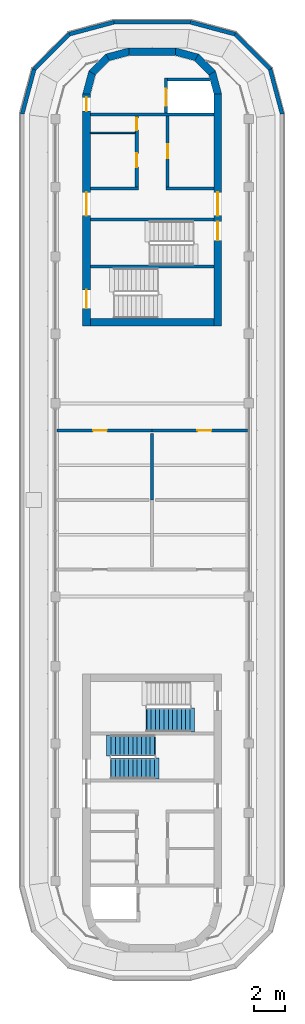
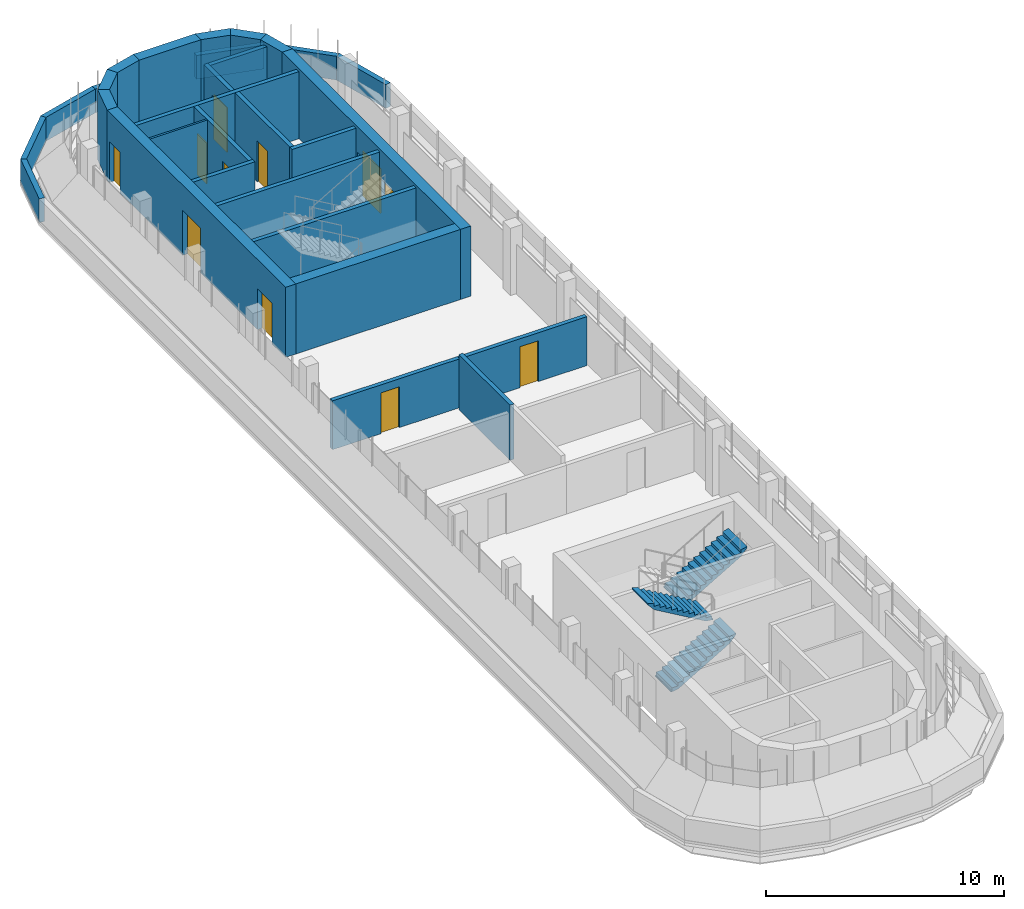
# One storey, part 9 of 12: 30 walls, 11 doors, 3 stair flights, 11 openings, 2 elements without a shape of their own.
"""IFC4 building model written with IfcOpenShell, lengths in metres."""

from ifc_helpers import new_model, si_unit, direction, frame, frame_2d, origin, place, context, subcontext, project, spatial, polyline, rectangle, outline, extrude, material, layer, layer_set, type_object, element, fill, aggregate, save


model = new_model("IFC4")

# Units and contexts
model_context = context("Model", 3, precision=1e-05, world=origin(), true_north=direction((0.0, 1.0)))
body_context = subcontext(model_context, "Body", "Model", "MODEL_VIEW")
ifc_project = project(units=[si_unit("LENGTHUNIT", "METRE"), si_unit("AREAUNIT", "SQUARE_METRE"), si_unit("VOLUMEUNIT", "CUBIC_METRE"), si_unit("PLANEANGLEUNIT", "RADIAN"), si_unit("MASSUNIT", "GRAM", prefix="KILO")], contexts=[model_context])

# Site, building, storey
site_placement = place(None, origin())
site = spatial("IfcSite", under=ifc_project, at=site_placement, CompositionType="ELEMENT")
building_placement = place(site_placement, origin())
building = spatial("IfcBuilding", under=site, at=building_placement, Name="Zarbagh Exchange Tower", CompositionType="ELEMENT")
storey_placement = place(building_placement, frame((0.0, 0.0, 309.60009765625)))
storey = spatial("IfcBuildingStorey", under=building, at=storey_placement, Name="L76", CompositionType="ELEMENT", Elevation=309.60009765625)

# Wall
ifc_material_1 = material(Name="Dense blockwork", Category="masonry")
ifc_layer_1 = layer(ifc_material_1, 0.10009765625)
ifc_layer_set_1 = layer_set([ifc_layer_1], Name="Core partition 100 mm blockwork")
wall_type_1 = type_object("IfcWallType", Name="Core partition 100 mm blockwork", PredefinedType="PARTITIONING", material=ifc_layer_set_1)
wall_1_placement = place(storey_placement, frame((-4.0, 23.75, 0.0), z_axis=(0.0, 0.0, 1.0), x_axis=(1.0, 0.0, 0.0)))
element("IfcWall", 1, at=wall_1_placement, inside=storey, type_object=wall_type_1, Name="North core partition wall CUT-W-460", PredefinedType="PARTITIONING", context=body_context, shape_type="SweptSolid", body=[
    extrude(rectangle(XDim=2.89990234375, YDim=0.10009765625, at=frame_2d((1.449951171875, 0.0))), origin(), (0.0, 0.0, 1.0), 3.449951171875),
])

# Wall, opening, door
ifc_material_2 = material(Name="Concrete block partition", Category="concrete")
ifc_layer_2 = layer(ifc_material_2, 0.199951171875)
ifc_layer_set_2 = layer_set([ifc_layer_2], Name="Fire-rated block partition 200 EI 60")
wall_type_2 = type_object("IfcWallType", Name="Fire-rated block partition 200 EI 60", PredefinedType="PARTITIONING", material=ifc_layer_set_2)
wall_2_placement = place(storey_placement, frame((0.0, 4.5, 0.0), z_axis=(0.0, 0.0, 1.0), x_axis=(-1.0, 0.0, 0.0)))
wall_2 = element("IfcWall", 2, at=wall_2_placement, inside=storey, type_object=wall_type_2, Name="WL-L76-W001", PredefinedType="PARTITIONING", context=body_context, shape_type="SweptSolid", body=[
    extrude(rectangle(XDim=6.169921875, YDim=0.199951171875, at=frame_2d((3.0849609375, 0.0))), origin(), (0.0, 0.0, 1.0), 2.510498046875),
])
opening_1_placement = place(wall_2_placement, frame((2.925048828125, 0.0, 0.0)))
opening_1 = element("IfcOpeningElement", 3, at=opening_1_placement, cuts=wall_2, Name="Opening D01", PredefinedType="OPENING", context=body_context, shape_type="SweptSolid", body=[
    extrude(rectangle(XDim=0.89990234375, YDim=2.10009765625, at=frame_2d((0.449951171875, 1.050048828125))), frame((0.0, 0.10986328125, 0.0), z_axis=(0.0, -1.0, 0.0), x_axis=(1.0, 0.0, 0.0)), (0.0, 0.0, 1.0), 0.219970703125),
])
ifc_material_3 = material(Name="Steel door set", Category="steel")
door_type_1 = type_object("IfcDoorType", Name="Door single 900x2100 EI 60", OperationType="SINGLE_SWING_LEFT", PredefinedType="DOOR", material=ifc_material_3)
door_1_placement = place(opening_1_placement, origin())
door_1 = element("IfcDoor", 4, at=door_1_placement, inside=storey, type_object=door_type_1, Name="D01", OperationType="SINGLE_SWING_LEFT", OverallHeight=2.10009765625, OverallWidth=0.89990234375, PredefinedType="DOOR", context=body_context, shape_type="SweptSolid", body=[
    extrude(rectangle(XDim=0.89990234375, YDim=2.10009765625, at=frame_2d((0.449951171875, 1.050048828125))), frame((0.0, 0.02490234375, 0.0), z_axis=(0.0, -1.0, 0.0), x_axis=(1.0, 0.0, 0.0)), (0.0, 0.0, 1.0), 0.050048828125),
])
fill(opening_1, door_1)

wall_3_placement = place(storey_placement, frame((6.169921875, 4.5, 0.0), z_axis=(0.0, 0.0, 1.0), x_axis=(-1.0, 0.0, 0.0)))
wall_3 = element("IfcWall", 5, at=wall_3_placement, inside=storey, type_object=wall_type_2, Name="WL-L76-W002", PredefinedType="PARTITIONING", context=body_context, shape_type="SweptSolid", body=[
    extrude(rectangle(XDim=6.169921875, YDim=0.199951171875, at=frame_2d((3.0849609375, 0.0))), origin(), (0.0, 0.0, 1.0), 2.510498046875),
])
opening_2_placement = place(wall_3_placement, frame((2.344970703125, 0.0, 0.0)))
opening_2 = element("IfcOpeningElement", 6, at=opening_2_placement, cuts=wall_3, Name="Opening D02", PredefinedType="OPENING", context=body_context, shape_type="SweptSolid", body=[
    extrude(rectangle(XDim=0.89990234375, YDim=2.10009765625, at=frame_2d((0.449951171875, 1.050048828125))), frame((0.0, 0.10986328125, 0.0), z_axis=(0.0, -1.0, 0.0), x_axis=(1.0, 0.0, 0.0)), (0.0, 0.0, 1.0), 0.219970703125),
])
door_2_placement = place(opening_2_placement, origin())
door_2 = element("IfcDoor", 7, at=door_2_placement, inside=storey, type_object=door_type_1, Name="D02", OperationType="SINGLE_SWING_LEFT", OverallHeight=2.10009765625, OverallWidth=0.89990234375, PredefinedType="DOOR", context=body_context, shape_type="SweptSolid", body=[
    extrude(rectangle(XDim=0.89990234375, YDim=2.10009765625, at=frame_2d((0.449951171875, 1.050048828125))), frame((0.0, 0.02490234375, 0.0), z_axis=(0.0, -1.0, 0.0), x_axis=(1.0, 0.0, 0.0)), (0.0, 0.0, 1.0), 0.050048828125),
])
fill(opening_2, door_2)

# Walls
wall_4_placement = place(storey_placement, frame((0.0, 4.300048828125, 0.0), z_axis=(0.0, 0.0, 1.0), x_axis=(0.0, -1.0, 0.0)))
element("IfcWall", 8, at=wall_4_placement, inside=storey, type_object=wall_type_2, Name="WL-L76-W005", PredefinedType="PARTITIONING", context=body_context, shape_type="SweptSolid", body=[
    extrude(rectangle(XDim=4.300048828125, YDim=0.199951171875, at=frame_2d((2.14990234375, 0.0))), origin(), (0.0, 0.0, 1.0), 2.827880859375),
])
ifc_material_4 = material(Name="Concrete C40/50", Category="concrete")
ifc_layer_3 = layer(ifc_material_4, 0.25)
ifc_layer_set_3 = layer_set([ifc_layer_3], Name="Parapet wall, concrete C40/50")
wall_type_3 = type_object("IfcWallType", Name="Parapet wall, concrete C40/50", PredefinedType="PARAPET", material=ifc_layer_set_3)
wall_5_placement = place(storey_placement, origin())
element("IfcWall", 9, at=wall_5_placement, inside=storey, type_object=wall_type_3, Name="roof parapet", PredefinedType="PARAPET", context=body_context, shape_type="SweptSolid", body=[
    extrude(outline(polyline([(-8.530029296875, 24.984375), (-7.742919921875, 27.92138671875), (-7.518798828125, 27.7919921875), (-8.280029296875, 24.951416015625), (-8.530029296875, 24.984375)])), origin(), (0.0, 0.0, 1.0), 1.219970703125),
])
wall_6_placement = place(storey_placement, origin())
element("IfcWall", 10, at=wall_6_placement, inside=storey, type_object=wall_type_3, Name="roof parapet", PredefinedType="PARAPET", context=body_context, shape_type="SweptSolid", body=[
    extrude(outline(polyline([(-7.742919921875, 27.92138671875), (-5.42138671875, 30.242919921875), (-5.2919921875, 30.018798828125), (-7.518798828125, 27.7919921875), (-7.742919921875, 27.92138671875)])), origin(), (0.0, 0.0, 1.0), 1.219970703125),
])
wall_7_placement = place(storey_placement, origin())
element("IfcWall", 11, at=wall_7_placement, inside=storey, type_object=wall_type_3, Name="roof parapet", PredefinedType="PARAPET", context=body_context, shape_type="SweptSolid", body=[
    extrude(outline(polyline([(-5.42138671875, 30.242919921875), (-2.484375, 31.030029296875), (-2.451416015625, 30.780029296875), (-5.2919921875, 30.018798828125), (-5.42138671875, 30.242919921875)])), origin(), (0.0, 0.0, 1.0), 1.219970703125),
])
wall_8_placement = place(storey_placement, origin())
element("IfcWall", 12, at=wall_8_placement, inside=storey, type_object=wall_type_3, Name="roof parapet", PredefinedType="PARAPET", context=body_context, shape_type="SweptSolid", body=[
    extrude(outline(polyline([(-2.484375, 31.030029296875), (2.484375, 31.030029296875), (2.451416015625, 30.780029296875), (-2.451416015625, 30.780029296875), (-2.484375, 31.030029296875)])), origin(), (0.0, 0.0, 1.0), 1.219970703125),
])
wall_9_placement = place(storey_placement, origin())
element("IfcWall", 13, at=wall_9_placement, inside=storey, type_object=wall_type_3, Name="roof parapet", PredefinedType="PARAPET", context=body_context, shape_type="SweptSolid", body=[
    extrude(outline(polyline([(2.484375, 31.030029296875), (5.42138671875, 30.242919921875), (5.2919921875, 30.018798828125), (2.451416015625, 30.780029296875), (2.484375, 31.030029296875)])), origin(), (0.0, 0.0, 1.0), 1.219970703125),
])
wall_10_placement = place(storey_placement, origin())
element("IfcWall", 14, at=wall_10_placement, inside=storey, type_object=wall_type_3, Name="roof parapet", PredefinedType="PARAPET", context=body_context, shape_type="SweptSolid", body=[
    extrude(outline(polyline([(5.42138671875, 30.242919921875), (7.742919921875, 27.92138671875), (7.518798828125, 27.7919921875), (5.2919921875, 30.018798828125), (5.42138671875, 30.242919921875)])), origin(), (0.0, 0.0, 1.0), 1.219970703125),
])
wall_11_placement = place(storey_placement, origin())
element("IfcWall", 15, at=wall_11_placement, inside=storey, type_object=wall_type_3, Name="roof parapet", PredefinedType="PARAPET", context=body_context, shape_type="SweptSolid", body=[
    extrude(outline(polyline([(7.742919921875, 27.92138671875), (8.530029296875, 24.984375), (8.280029296875, 24.951416015625), (7.518798828125, 27.7919921875), (7.742919921875, 27.92138671875)])), origin(), (0.0, 0.0, 1.0), 1.219970703125),
])
ifc_layer_4 = layer(ifc_material_4, 0.5)
ifc_layer_set_4 = layer_set([ifc_layer_4], Name="RC core corner wall 500 C40/50")
wall_type_4 = type_object("IfcWallType", Name="RC core corner wall 500 C40/50", PredefinedType="SHEAR", material=ifc_layer_set_4)
wall_12_placement = place(storey_placement, origin())
element("IfcWall", 16, at=wall_12_placement, inside=storey, type_object=wall_type_4, Name="CW10 core N corner W", PredefinedType="SHEAR", context=body_context, shape_type="SweptSolid", body=[
    extrude(outline(polyline([(-4.5, 26.25), (-4.09814453125, 27.75), (-3.6650390625, 27.5), (-4.0, 26.25), (-4.5, 26.25)])), origin(), (0.0, 0.0, 1.0), 3.599853515625),
])
wall_13_placement = place(storey_placement, origin())
element("IfcWall", 17, at=wall_13_placement, inside=storey, type_object=wall_type_4, Name="CW10 core N corner W", PredefinedType="SHEAR", context=body_context, shape_type="SweptSolid", body=[
    extrude(outline(polyline([(-4.09814453125, 27.75), (-3.0, 28.84814453125), (-2.75, 28.4150390625), (-3.6650390625, 27.5), (-4.09814453125, 27.75)])), origin(), (0.0, 0.0, 1.0), 3.599853515625),
])
wall_14_placement = place(storey_placement, origin())
element("IfcWall", 18, at=wall_14_placement, inside=storey, type_object=wall_type_4, Name="CW10 core N corner W", PredefinedType="SHEAR", context=body_context, shape_type="SweptSolid", body=[
    extrude(outline(polyline([(-3.0, 28.84814453125), (-1.5, 29.25), (-1.5, 28.75), (-2.75, 28.4150390625), (-3.0, 28.84814453125)])), origin(), (0.0, 0.0, 1.0), 3.599853515625),
])
wall_15_placement = place(storey_placement, origin())
element("IfcWall", 19, at=wall_15_placement, inside=storey, type_object=wall_type_4, Name="CW10 core N corner E", PredefinedType="SHEAR", context=body_context, shape_type="SweptSolid", body=[
    extrude(outline(polyline([(4.5, 26.25), (4.09814453125, 27.75), (3.6650390625, 27.5), (4.0, 26.25), (4.5, 26.25)])), origin(), (0.0, 0.0, 1.0), 3.599853515625),
])
wall_16_placement = place(storey_placement, origin())
element("IfcWall", 20, at=wall_16_placement, inside=storey, type_object=wall_type_4, Name="CW10 core N corner E", PredefinedType="SHEAR", context=body_context, shape_type="SweptSolid", body=[
    extrude(outline(polyline([(4.09814453125, 27.75), (3.0, 28.84814453125), (2.75, 28.4150390625), (3.6650390625, 27.5), (4.09814453125, 27.75)])), origin(), (0.0, 0.0, 1.0), 3.599853515625),
])
wall_17_placement = place(storey_placement, origin())
element("IfcWall", 21, at=wall_17_placement, inside=storey, type_object=wall_type_4, Name="CW10 core N corner E", PredefinedType="SHEAR", context=body_context, shape_type="SweptSolid", body=[
    extrude(outline(polyline([(3.0, 28.84814453125), (1.5, 29.25), (1.5, 28.75), (2.75, 28.4150390625), (3.0, 28.84814453125)])), origin(), (0.0, 0.0, 1.0), 3.599853515625),
])

# Wall, openings, doors
ifc_layer_5 = layer(ifc_material_4, 0.5)
ifc_layer_set_5 = layer_set([ifc_layer_5], Name="RC core wall 500 C40/50")
wall_type_5 = type_object("IfcWallType", Name="RC core wall 500 C40/50", PredefinedType="SHEAR", material=ifc_layer_set_5)
wall_18_placement = place(storey_placement, frame((-4.25, 11.25, 0.0), z_axis=(0.0, 0.0, 1.0), x_axis=(0.0, 1.0, 0.0)))
wall_18 = element("IfcWall", 22, at=wall_18_placement, inside=storey, type_object=wall_type_5, Name="CW9 core N W", PredefinedType="SHEAR", context=body_context, shape_type="SweptSolid", body=[
    extrude(rectangle(XDim=15.0, YDim=0.5, at=frame_2d((7.5, 0.0))), origin(), (0.0, 0.0, 1.0), 3.599853515625),
])
opening_3_placement = place(wall_18_placement, frame((7.14990234375, 0.0, 0.0)))
opening_3 = element("IfcOpeningElement", 23, at=opening_3_placement, cuts=wall_18, Name="Opening CD1-1500", PredefinedType="OPENING", context=body_context, shape_type="SweptSolid", body=[
    extrude(rectangle(XDim=1.5, YDim=2.300048828125, at=frame_2d((0.75, 1.14990234375))), frame((0.0, 0.260009765625, 0.0), z_axis=(0.0, -1.0, 0.0), x_axis=(1.0, 0.0, 0.0)), (0.0, 0.0, 1.0), 0.52001953125),
])
opening_4_placement = place(wall_18_placement, frame((13.89990234375, 0.0, 0.0)))
opening_4 = element("IfcOpeningElement", 24, at=opening_4_placement, cuts=wall_18, Name="Opening CD2-900", PredefinedType="OPENING", context=body_context, shape_type="SweptSolid", body=[
    extrude(rectangle(XDim=0.89990234375, YDim=2.10009765625, at=frame_2d((0.449951171875, 1.050048828125))), frame((0.0, 0.260009765625, 0.0), z_axis=(0.0, -1.0, 0.0), x_axis=(1.0, 0.0, 0.0)), (0.0, 0.0, 1.0), 0.52001953125),
])
opening_5_placement = place(wall_18_placement, frame((1.14990234375, 0.0, 0.0)))
opening_5 = element("IfcOpeningElement", 25, at=opening_5_placement, cuts=wall_18, Name="Opening SD1-1200", PredefinedType="OPENING", context=body_context, shape_type="SweptSolid", body=[
    extrude(rectangle(XDim=1.199951171875, YDim=2.10009765625, at=frame_2d((0.60009765625, 1.050048828125))), frame((0.0, 0.260009765625, 0.0), z_axis=(0.0, -1.0, 0.0), x_axis=(1.0, 0.0, 0.0)), (0.0, 0.0, 1.0), 0.52001953125),
])
ifc_material_5 = material(Name="Steel", Category="steel")
door_type_2 = type_object("IfcDoorType", Name="Exit stair door 1200 x 2100", OperationType="NOTDEFINED", PredefinedType="DOOR", material=ifc_material_5)
door_3_placement = place(opening_5_placement, origin())
door_3 = element("IfcDoor", 26, at=door_3_placement, inside=storey, type_object=door_type_2, Name="North core stair door ST2", OperationType="SINGLE_SWING_RIGHT", OverallHeight=2.10009765625, OverallWidth=1.199951171875, PredefinedType="DOOR", context=body_context, shape_type="SweptSolid", body=[
    extrude(rectangle(XDim=1.199951171875, YDim=2.10009765625, at=frame_2d((0.60009765625, 1.050048828125))), frame((0.0, 0.02490234375, 0.0), z_axis=(0.0, -1.0, 0.0), x_axis=(1.0, 0.0, 0.0)), (0.0, 0.0, 1.0), 0.050048828125),
])
fill(opening_5, door_3)
door_type_3 = type_object("IfcDoorType", Name="Firefighting lobby door 900 x 2100", OperationType="NOTDEFINED", PredefinedType="DOOR", material=ifc_material_5)
door_4_placement = place(opening_4_placement, origin())
door_4 = element("IfcDoor", 27, at=door_4_placement, inside=storey, type_object=door_type_3, Name="North core firefighting lobby door FF-W", OperationType="SINGLE_SWING_RIGHT", OverallHeight=2.10009765625, OverallWidth=0.89990234375, PredefinedType="DOOR", context=body_context, shape_type="SweptSolid", body=[
    extrude(rectangle(XDim=0.89990234375, YDim=2.10009765625, at=frame_2d((0.449951171875, 1.050048828125))), frame((0.0, 0.02490234375, 0.0), z_axis=(0.0, -1.0, 0.0), x_axis=(1.0, 0.0, 0.0)), (0.0, 0.0, 1.0), 0.050048828125),
])
fill(opening_4, door_4)
door_type_4 = type_object("IfcDoorType", Name="Lift lobby double door 1500 x 2300", OperationType="NOTDEFINED", PredefinedType="DOOR", material=ifc_material_5)
door_5_placement = place(opening_3_placement, origin())
door_5 = element("IfcDoor", 28, at=door_5_placement, inside=storey, type_object=door_type_4, Name="North core lift lobby door LOBBY-W", OperationType="DOUBLE_DOOR_SINGLE_SWING", OverallHeight=2.300048828125, OverallWidth=1.5, PredefinedType="DOOR", context=body_context, shape_type="SweptSolid", body=[
    extrude(rectangle(XDim=1.5, YDim=2.300048828125, at=frame_2d((0.75, 1.14990234375))), frame((0.0, 0.02490234375, 0.0), z_axis=(0.0, -1.0, 0.0), x_axis=(1.0, 0.0, 0.0)), (0.0, 0.0, 1.0), 0.050048828125),
])
fill(opening_3, door_5)

wall_19_placement = place(storey_placement, frame((4.25, 11.25, 0.0), z_axis=(0.0, 0.0, 1.0), x_axis=(0.0, 1.0, 0.0)))
wall_19 = element("IfcWall", 29, at=wall_19_placement, inside=storey, type_object=wall_type_5, Name="CW9 core N E", PredefinedType="SHEAR", context=body_context, shape_type="SweptSolid", body=[
    extrude(rectangle(XDim=15.0, YDim=0.5, at=frame_2d((7.5, 0.0))), origin(), (0.0, 0.0, 1.0), 3.599853515625),
])
opening_6_placement = place(wall_19_placement, frame((7.14990234375, 0.0, 0.0)))
opening_6 = element("IfcOpeningElement", 30, at=opening_6_placement, cuts=wall_19, Name="Opening CD1-1500", PredefinedType="OPENING", context=body_context, shape_type="SweptSolid", body=[
    extrude(rectangle(XDim=1.5, YDim=2.300048828125, at=frame_2d((0.75, 1.14990234375))), frame((0.0, 0.260009765625, 0.0), z_axis=(0.0, -1.0, 0.0), x_axis=(1.0, 0.0, 0.0)), (0.0, 0.0, 1.0), 0.52001953125),
])
opening_7_placement = place(wall_19_placement, frame((5.550048828125, 0.0, 0.0)))
opening_7 = element("IfcOpeningElement", 31, at=opening_7_placement, cuts=wall_19, Name="Opening SD1-1200", PredefinedType="OPENING", context=body_context, shape_type="SweptSolid", body=[
    extrude(rectangle(XDim=1.199951171875, YDim=2.10009765625, at=frame_2d((0.60009765625, 1.050048828125))), frame((0.0, 0.260009765625, 0.0), z_axis=(0.0, -1.0, 0.0), x_axis=(1.0, 0.0, 0.0)), (0.0, 0.0, 1.0), 0.52001953125),
])
door_6_placement = place(opening_7_placement, origin())
door_6 = element("IfcDoor", 32, at=door_6_placement, inside=storey, type_object=door_type_2, Name="North core stair door ST1", OperationType="SINGLE_SWING_RIGHT", OverallHeight=2.10009765625, OverallWidth=1.199951171875, PredefinedType="DOOR", context=body_context, shape_type="SweptSolid", body=[
    extrude(rectangle(XDim=1.199951171875, YDim=2.10009765625, at=frame_2d((0.60009765625, 1.050048828125))), frame((0.0, 0.02490234375, 0.0), z_axis=(0.0, -1.0, 0.0), x_axis=(1.0, 0.0, 0.0)), (0.0, 0.0, 1.0), 0.050048828125),
])
fill(opening_7, door_6)
door_7_placement = place(opening_6_placement, origin())
door_7 = element("IfcDoor", 33, at=door_7_placement, inside=storey, type_object=door_type_4, Name="North core lift lobby door LOBBY-E", OperationType="DOUBLE_DOOR_SINGLE_SWING", OverallHeight=2.300048828125, OverallWidth=1.5, PredefinedType="DOOR", context=body_context, shape_type="SweptSolid", body=[
    extrude(rectangle(XDim=1.5, YDim=2.300048828125, at=frame_2d((0.75, 1.14990234375))), frame((0.0, 0.02490234375, 0.0), z_axis=(0.0, -1.0, 0.0), x_axis=(1.0, 0.0, 0.0)), (0.0, 0.0, 1.0), 0.050048828125),
])
fill(opening_6, door_7)

# Walls
wall_20_placement = place(storey_placement, frame((-4.0, 11.5, 0.0), z_axis=(0.0, 0.0, 1.0), x_axis=(1.0, 0.0, 0.0)))
element("IfcWall", 34, at=wall_20_placement, inside=storey, type_object=wall_type_5, Name="CW9 core N inner end", PredefinedType="SHEAR", context=body_context, shape_type="SweptSolid", body=[
    extrude(rectangle(XDim=8.0, YDim=0.5, at=frame_2d((4.0, 0.0))), origin(), (0.0, 0.0, 1.0), 3.599853515625),
])
wall_21_placement = place(storey_placement, frame((-1.5, 29.0, 0.0), z_axis=(0.0, 0.0, 1.0), x_axis=(1.0, 0.0, 0.0)))
element("IfcWall", 35, at=wall_21_placement, inside=storey, type_object=wall_type_5, Name="CW9 core N outer end", PredefinedType="SHEAR", context=body_context, shape_type="SweptSolid", body=[
    extrude(rectangle(XDim=3.0, YDim=0.5, at=frame_2d((1.5, 0.0))), origin(), (0.0, 0.0, 1.0), 3.599853515625),
])
ifc_layer_6 = layer(ifc_material_1, 0.199951171875)
ifc_layer_set_6 = layer_set([ifc_layer_6], Name="Shaft wall 200 mm blockwork")
wall_type_6 = type_object("IfcWallType", Name="Shaft wall 200 mm blockwork", PredefinedType="PARTITIONING", material=ifc_layer_set_6)
wall_22_placement = place(storey_placement, frame((-4.0, 20.14990234375, 0.0), z_axis=(0.0, 0.0, 1.0), x_axis=(1.0, 0.0, 0.0)))
element("IfcWall", 36, at=wall_22_placement, inside=storey, type_object=wall_type_6, Name="North core shaft wall AB-W", PredefinedType="PARTITIONING", context=body_context, shape_type="SweptSolid", body=[
    extrude(rectangle(XDim=3.10009765625, YDim=0.199951171875, at=frame_2d((1.550048828125, 0.0))), origin(), (0.0, 0.0, 1.0), 3.449951171875),
])

# Wall, openings, doors
wall_23_placement = place(storey_placement, frame((-1.0, 24.85009765625, 0.0), z_axis=(0.0, 0.0, 1.0), x_axis=(0.0, -1.0, 0.0)))
wall_23 = element("IfcWall", 37, at=wall_23_placement, inside=storey, type_object=wall_type_6, Name="North core shaft wall LW-W", PredefinedType="PARTITIONING", context=body_context, shape_type="SweptSolid", body=[
    extrude(rectangle(XDim=4.60009765625, YDim=0.199951171875, at=frame_2d((2.300048828125, 0.0))), origin(), (0.0, 0.0, 1.0), 3.449951171875),
])
opening_8_placement = place(wall_23_placement, frame((0.125, 0.0, 0.0)))
opening_8 = element("IfcOpeningElement", 38, at=opening_8_placement, cuts=wall_23, Name="Opening CD3-800", PredefinedType="OPENING", context=body_context, shape_type="SweptSolid", body=[
    extrude(rectangle(XDim=0.800048828125, YDim=2.10009765625, at=frame_2d((0.39990234375, 1.050048828125))), frame((0.0, 0.10986328125, 0.0), z_axis=(0.0, -1.0, 0.0), x_axis=(1.0, 0.0, 0.0)), (0.0, 0.0, 1.0), 0.219970703125),
])
opening_9_placement = place(wall_23_placement, frame((2.425048828125, 0.0, 0.0)))
opening_9 = element("IfcOpeningElement", 39, at=opening_9_placement, cuts=wall_23, Name="Opening CD3-900", PredefinedType="OPENING", context=body_context, shape_type="SweptSolid", body=[
    extrude(rectangle(XDim=0.89990234375, YDim=2.10009765625, at=frame_2d((0.449951171875, 1.050048828125))), frame((0.0, 0.10986328125, 0.0), z_axis=(0.0, -1.0, 0.0), x_axis=(1.0, 0.0, 0.0)), (0.0, 0.0, 1.0), 0.219970703125),
])
door_type_5 = type_object("IfcDoorType", Name="Core room door 800 x 2100", OperationType="NOTDEFINED", PredefinedType="DOOR", material=ifc_material_5)
door_8_placement = place(opening_8_placement, origin())
door_8 = element("IfcDoor", 40, at=door_8_placement, inside=storey, type_object=door_type_5, Name="North core Plant room door RD-W-0", OperationType="SINGLE_SWING_LEFT", OverallHeight=2.10009765625, OverallWidth=0.800048828125, PredefinedType="DOOR", context=body_context, shape_type="SweptSolid", body=[
    extrude(rectangle(XDim=0.800048828125, YDim=2.10009765625, at=frame_2d((0.39990234375, 1.050048828125))), frame((0.0, 0.02490234375, 0.0), z_axis=(0.0, -1.0, 0.0), x_axis=(1.0, 0.0, 0.0)), (0.0, 0.0, 1.0), 0.050048828125),
])
fill(opening_8, door_8)
door_type_6 = type_object("IfcDoorType", Name="Core room door 900 x 2100", OperationType="NOTDEFINED", PredefinedType="DOOR", material=ifc_material_5)
door_9_placement = place(opening_9_placement, origin())
door_9 = element("IfcDoor", 41, at=door_9_placement, inside=storey, type_object=door_type_6, Name="North core Mechanical store door RD-W-1", OperationType="SINGLE_SWING_RIGHT", OverallHeight=2.10009765625, OverallWidth=0.89990234375, PredefinedType="DOOR", context=body_context, shape_type="SweptSolid", body=[
    extrude(rectangle(XDim=0.89990234375, YDim=2.10009765625, at=frame_2d((0.449951171875, 1.050048828125))), frame((0.0, 0.02490234375, 0.0), z_axis=(0.0, -1.0, 0.0), x_axis=(1.0, 0.0, 0.0)), (0.0, 0.0, 1.0), 0.050048828125),
])
fill(opening_9, door_9)

# Wall
wall_24_placement = place(storey_placement, frame((0.89990234375, 20.14990234375, 0.0), z_axis=(0.0, 0.0, 1.0), x_axis=(1.0, 0.0, 0.0)))
element("IfcWall", 42, at=wall_24_placement, inside=storey, type_object=wall_type_6, Name="North core shaft wall AB-E", PredefinedType="PARTITIONING", context=body_context, shape_type="SweptSolid", body=[
    extrude(rectangle(XDim=3.10009765625, YDim=0.199951171875, at=frame_2d((1.550048828125, 0.0))), origin(), (0.0, 0.0, 1.0), 3.449951171875),
])

# Wall, opening, door
wall_25_placement = place(storey_placement, frame((1.0, 24.85009765625, 0.0), z_axis=(0.0, 0.0, 1.0), x_axis=(0.0, -1.0, 0.0)))
wall_25 = element("IfcWall", 43, at=wall_25_placement, inside=storey, type_object=wall_type_6, Name="North core shaft wall LW-E", PredefinedType="PARTITIONING", context=body_context, shape_type="SweptSolid", body=[
    extrude(rectangle(XDim=4.60009765625, YDim=0.199951171875, at=frame_2d((2.300048828125, 0.0))), origin(), (0.0, 0.0, 1.0), 3.449951171875),
])
opening_10_placement = place(wall_25_placement, frame((1.85009765625, 0.0, 0.0)))
opening_10 = element("IfcOpeningElement", 44, at=opening_10_placement, cuts=wall_25, Name="Opening CD3-900", PredefinedType="OPENING", context=body_context, shape_type="SweptSolid", body=[
    extrude(rectangle(XDim=0.89990234375, YDim=2.10009765625, at=frame_2d((0.449951171875, 1.050048828125))), frame((0.0, 0.10986328125, 0.0), z_axis=(0.0, -1.0, 0.0), x_axis=(1.0, 0.0, 0.0)), (0.0, 0.0, 1.0), 0.219970703125),
])
door_10_placement = place(opening_10_placement, origin())
door_10 = element("IfcDoor", 45, at=door_10_placement, inside=storey, type_object=door_type_6, Name="North core Plant room door RD-E-0", OperationType="SINGLE_SWING_LEFT", OverallHeight=2.10009765625, OverallWidth=0.89990234375, PredefinedType="DOOR", context=body_context, shape_type="SweptSolid", body=[
    extrude(rectangle(XDim=0.89990234375, YDim=2.10009765625, at=frame_2d((0.449951171875, 1.050048828125))), frame((0.0, 0.02490234375, 0.0), z_axis=(0.0, -1.0, 0.0), x_axis=(1.0, 0.0, 0.0)), (0.0, 0.0, 1.0), 0.050048828125),
])
fill(opening_10, door_10)

# Wall
ifc_layer_7 = layer(ifc_material_4, 0.199951171875)
ifc_layer_set_7 = layer_set([ifc_layer_7], Name="Stair enclosure wall 200 mm RC C40/50")
wall_type_7 = type_object("IfcWallType", Name="Stair enclosure wall 200 mm RC C40/50", PredefinedType="SHEAR", material=ifc_layer_set_7)
wall_26_placement = place(storey_placement, frame((-4.0, 24.949951171875, 0.0), z_axis=(0.0, 0.0, 1.0), x_axis=(1.0, 0.0, 0.0)))
element("IfcWall", 46, at=wall_26_placement, inside=storey, type_object=wall_type_7, Name="North core lift shaft wall FFA", PredefinedType="SHEAR", context=body_context, shape_type="SweptSolid", body=[
    extrude(rectangle(XDim=8.0, YDim=0.199951171875, at=frame_2d((4.0, 0.0))), origin(), (0.0, 0.0, 1.0), 3.449951171875),
])

# Wall, opening, door
wall_27_placement = place(storey_placement, frame((0.89990234375, 27.300048828125, 0.0), z_axis=(0.0, 0.0, 1.0), x_axis=(0.0, -1.0, 0.0)))
wall_27 = element("IfcWall", 47, at=wall_27_placement, inside=storey, type_object=wall_type_7, Name="North core lift shaft wall FFL", PredefinedType="SHEAR", context=body_context, shape_type="SweptSolid", body=[
    extrude(rectangle(XDim=2.25, YDim=0.199951171875, at=frame_2d((1.125, 0.0))), origin(), (0.0, 0.0, 1.0), 3.449951171875),
])
opening_11_placement = place(wall_27_placement, frame((0.699951171875, 0.0, 0.0)))
opening_11 = element("IfcOpeningElement", 48, at=opening_11_placement, cuts=wall_27, Name="Opening LD-1100", PredefinedType="OPENING", context=body_context, shape_type="SweptSolid", body=[
    extrude(rectangle(XDim=1.10009765625, YDim=2.300048828125, at=frame_2d((0.550048828125, 1.14990234375))), frame((0.0, 0.10986328125, 0.0), z_axis=(0.0, -1.0, 0.0), x_axis=(1.0, 0.0, 0.0)), (0.0, 0.0, 1.0), 0.219970703125),
])
ifc_material_6 = material(Name="Stainless steel", Category="steel")
door_type_7 = type_object("IfcDoorType", Name="Lift landing door 1100 x 2300", OperationType="NOTDEFINED", PredefinedType="DOOR", material=ifc_material_6)
door_11_placement = place(opening_11_placement, origin())
door_11 = element("IfcDoor", 49, at=door_11_placement, inside=storey, type_object=door_type_7, Name="North core lift landing door LD-F", OperationType="DOUBLE_DOOR_SLIDING", OverallHeight=2.300048828125, OverallWidth=1.10009765625, PredefinedType="DOOR", context=body_context, shape_type="SweptSolid", body=[
    extrude(rectangle(XDim=1.10009765625, YDim=2.300048828125, at=frame_2d((0.550048828125, 1.14990234375))), frame((0.0, 0.02490234375, 0.0), z_axis=(0.0, -1.0, 0.0), x_axis=(1.0, 0.0, 0.0)), (0.0, 0.0, 1.0), 0.050048828125),
])
fill(opening_11, door_11)

# Walls
wall_28_placement = place(storey_placement, origin())
element("IfcWall", 50, at=wall_28_placement, inside=storey, type_object=wall_type_7, Name="North core lift shaft wall FFX", PredefinedType="SHEAR", context=body_context, shape_type="SweptSolid", body=[
    extrude(outline(polyline([(1.0, 27.10009765625), (3.754638671875, 27.10009765625), (3.700927734375, 27.300048828125), (1.0, 27.300048828125), (1.0, 27.10009765625)])), origin(), (0.0, 0.0, 1.0), 3.449951171875),
])
for number, where, z_axis, x_axis, name in (
    (51, (-4.0, 18.14990234375, 0.0), (0.0, 0.0, 1.0), (1.0, 0.0, 0.0), "North core stair wall BS"),
    (52, (-4.0, 15.10009765625, 0.0), (0.0, 0.0, 1.0), (1.0, 0.0, 0.0), "North core stair wall ST12"),
):
    element("IfcWall", number, at=place(storey_placement, frame(where, z_axis=z_axis, x_axis=x_axis)), inside=storey, type_object=wall_type_7, Name=name, PredefinedType="SHEAR", context=body_context, shape_type="SweptSolid", body=[
        extrude(rectangle(XDim=8.0, YDim=0.199951171875, at=frame_2d((4.0, 0.0))), origin(), (0.0, 0.0, 1.0), 3.449951171875),
    ])

# Stair, stair flights
stair_type = type_object("IfcStairType", Name="Exit stair two-flight half-turn", PredefinedType="HALF_TURN_STAIR", material=ifc_material_4)
stair_1_placement = place(storey_placement, origin())
stair_1 = element("IfcStair", 53, at=stair_1_placement, inside=storey, type_object=stair_type, Name="exit stair ST3", PredefinedType="HALF_TURN_STAIR")
stair_flight_type_1 = type_object("IfcStairFlightType", Name="Stair flight 1350 mm", PredefinedType="STRAIGHT", material=ifc_material_4)
stair_flight_1_placement = place(storey_placement, frame((-2.64990234375, -17.375, 0.0), z_axis=(0.0, 0.0, 1.0), x_axis=(1.0, 0.0, 0.0)))
stair_flight_1 = element("IfcStairFlight", 54, at=stair_flight_1_placement, type_object=stair_flight_type_1, Name="ST3 flight 1", NumberOfRisers=11, NumberOfTreads=10, PredefinedType="STRAIGHT", RiserHeight=0.163636364, TreadLength=0.28, context=body_context, shape_type="SweptSolid", body=[
    extrude(outline(polyline([(-0.050048828125, -0.050048828125), (-0.050048828125, 0.0), (0.0, 0.0), (0.0, 0.16357421875), (0.280029296875, 0.16357421875), (0.280029296875, 0.327392578125), (0.56005859375, 0.327392578125), (0.56005859375, 0.490966796875), (0.840087890625, 0.490966796875), (0.840087890625, 0.654541015625), (1.1201171875, 0.654541015625), (1.1201171875, 0.818115234375), (1.39990234375, 0.818115234375), (1.39990234375, 0.98193359375), (1.679931640625, 0.98193359375), (1.679931640625, 1.1455078125), (1.9599609375, 1.1455078125), (1.9599609375, 1.30908203125), (2.239990234375, 1.30908203125), (2.239990234375, 1.47265625), (2.52001953125, 1.47265625), (2.52001953125, 1.636474609375), (2.800048828125, 1.636474609375), (2.800048828125, 1.800048828125), (3.10009765625, 1.8798828125), (3.10009765625, 1.800048828125), (2.800048828125, 1.462646484375), (0.297119140625, 0.0), (-0.050048828125, -0.050048828125)])), frame((0.0, 0.675048828125, 0.0), z_axis=(0.0, -1.0, 0.0), x_axis=(1.0, 0.0, 0.0)), (0.0, 0.0, 1.0), 1.35009765625),
])
stair_flight_2_placement = place(storey_placement, frame((0.14990234375, -15.875, 1.7998046875), z_axis=(0.0, 0.0, 1.0), x_axis=(-1.0, 0.0, 0.0)))
stair_flight_2 = element("IfcStairFlight", 55, at=stair_flight_2_placement, type_object=stair_flight_type_1, Name="ST3 flight 2", NumberOfRisers=11, NumberOfTreads=10, PredefinedType="STRAIGHT", RiserHeight=0.163636364, TreadLength=0.28, context=body_context, shape_type="SweptSolid", body=[
    extrude(outline(polyline([(-0.050048828125, -0.050048828125), (-0.050048828125, 0.0), (0.0, 0.0), (0.0, 0.16357421875), (0.280029296875, 0.16357421875), (0.280029296875, 0.327392578125), (0.56005859375, 0.327392578125), (0.56005859375, 0.490966796875), (0.840087890625, 0.490966796875), (0.840087890625, 0.654541015625), (1.1201171875, 0.654541015625), (1.1201171875, 0.818115234375), (1.39990234375, 0.818115234375), (1.39990234375, 0.98193359375), (1.679931640625, 0.98193359375), (1.679931640625, 1.1455078125), (1.9599609375, 1.1455078125), (1.9599609375, 1.30908203125), (2.239990234375, 1.30908203125), (2.239990234375, 1.47265625), (2.52001953125, 1.47265625), (2.52001953125, 1.636474609375), (2.800048828125, 1.636474609375), (2.800048828125, 1.800048828125), (3.10009765625, 1.8798828125), (3.10009765625, 1.800048828125), (2.800048828125, 1.462646484375), (0.297119140625, 0.0), (-0.050048828125, -0.050048828125)])), frame((0.0, 0.675048828125, 0.0), z_axis=(0.0, -1.0, 0.0), x_axis=(1.0, 0.0, 0.0)), (0.0, 0.0, 1.0), 1.35009765625),
])
aggregate(stair_1, [stair_flight_1, stair_flight_2])

# Stair, stair flight
stair_2_placement = place(storey_placement, origin())
stair_2 = element("IfcStair", 56, at=stair_2_placement, inside=storey, type_object=stair_type, Name="exit stair ST4", PredefinedType="HALF_TURN_STAIR")
stair_flight_type_2 = type_object("IfcStairFlightType", Name="Stair flight 1550 mm", PredefinedType="STRAIGHT", material=ifc_material_4)
stair_flight_3_placement = place(storey_placement, frame((-0.35009765625, -14.22509765625, 1.7998046875), z_axis=(0.0, 0.0, 1.0), x_axis=(1.0, 0.0, 0.0)))
stair_flight_3 = element("IfcStairFlight", 57, at=stair_flight_3_placement, type_object=stair_flight_type_2, Name="ST4 flight 2", NumberOfRisers=11, NumberOfTreads=10, PredefinedType="STRAIGHT", RiserHeight=0.163636364, TreadLength=0.28, context=body_context, shape_type="SweptSolid", body=[
    extrude(outline(polyline([(-0.050048828125, -0.050048828125), (-0.050048828125, 0.0), (0.0, 0.0), (0.0, 0.16357421875), (0.280029296875, 0.16357421875), (0.280029296875, 0.327392578125), (0.56005859375, 0.327392578125), (0.56005859375, 0.490966796875), (0.840087890625, 0.490966796875), (0.840087890625, 0.654541015625), (1.1201171875, 0.654541015625), (1.1201171875, 0.818115234375), (1.39990234375, 0.818115234375), (1.39990234375, 0.98193359375), (1.679931640625, 0.98193359375), (1.679931640625, 1.1455078125), (1.9599609375, 1.1455078125), (1.9599609375, 1.30908203125), (2.239990234375, 1.30908203125), (2.239990234375, 1.47265625), (2.52001953125, 1.47265625), (2.52001953125, 1.636474609375), (2.800048828125, 1.636474609375), (2.800048828125, 1.800048828125), (3.10009765625, 1.8798828125), (3.10009765625, 1.800048828125), (2.800048828125, 1.462646484375), (0.297119140625, 0.0), (-0.050048828125, -0.050048828125)])), frame((0.0, 0.77490234375, 0.0), z_axis=(0.0, -1.0, 0.0), x_axis=(1.0, 0.0, 0.0)), (0.0, 0.0, 1.0), 1.550048828125),
])
aggregate(stair_2, [stair_flight_3])

save(model, "model.ifc")
